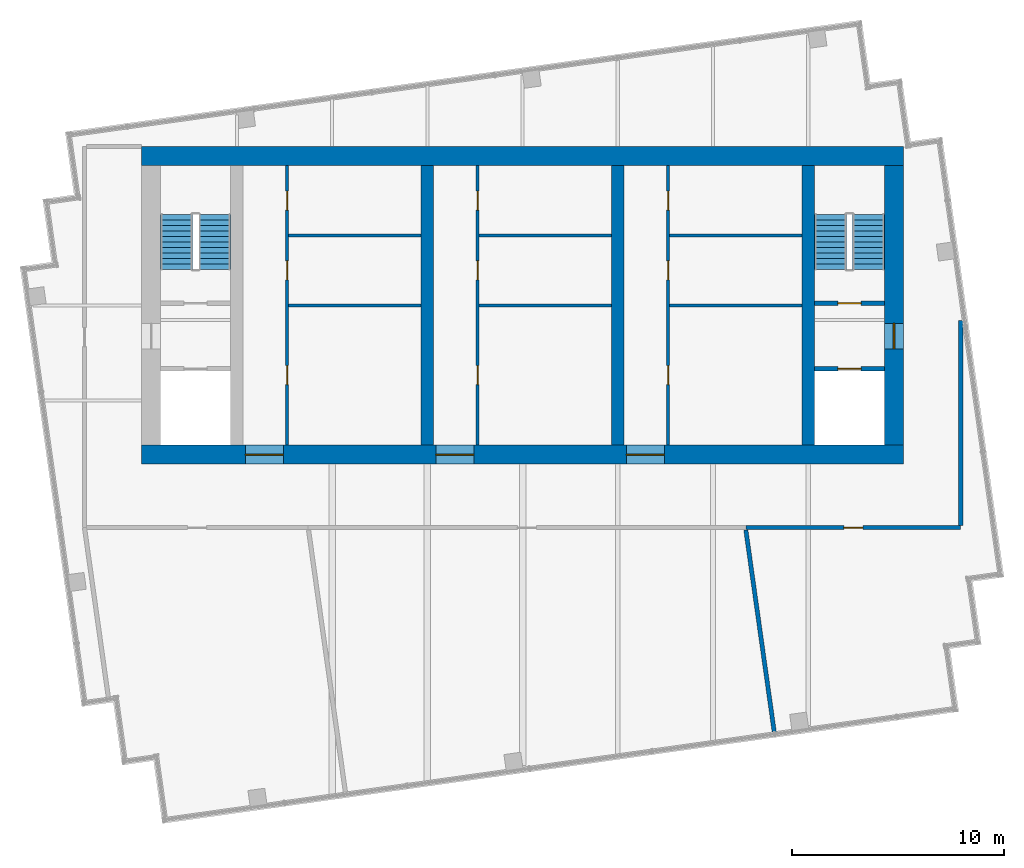
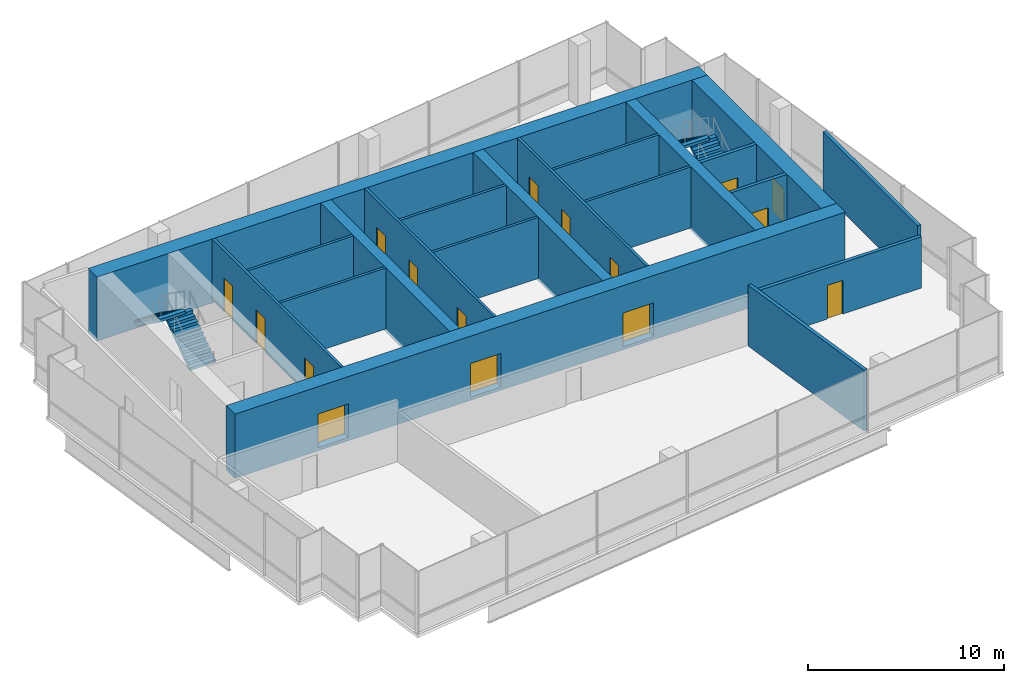
# One storey, part 8 of 9: 20 walls, 16 doors, 4 stair flights, 16 openings, 2 elements without a shape of their own.
"""IFC4 building model written with IfcOpenShell, lengths in metres."""

from ifc_helpers import new_model, si_unit, direction, frame, frame_2d, origin, place, context, subcontext, project, spatial, polyline, rectangle, outline, extrude, material, layer, layer_set, type_object, element, fill, aggregate, save


model = new_model("IFC4")

# Units and contexts
model_context = context("Model", 3, precision=1e-05, world=origin(), true_north=direction((0.0, 1.0)))
body_context = subcontext(model_context, "Body", "Model", "MODEL_VIEW")
ifc_project = project(units=[si_unit("LENGTHUNIT", "METRE"), si_unit("AREAUNIT", "SQUARE_METRE"), si_unit("VOLUMEUNIT", "CUBIC_METRE"), si_unit("PLANEANGLEUNIT", "RADIAN"), si_unit("MASSUNIT", "GRAM", prefix="KILO")], contexts=[model_context])

# Site, building, storey
site_placement = place(None, origin())
site = spatial("IfcSite", under=ifc_project, at=site_placement, CompositionType="ELEMENT")
building_placement = place(site_placement, origin())
building = spatial("IfcBuilding", under=site, at=building_placement, Name="Rattan Terrace Tower", CompositionType="ELEMENT")
storey_placement = place(building_placement, frame((0.0, 0.0, 304.300048828125)))
storey = spatial("IfcBuildingStorey", under=building, at=storey_placement, Name="C04", CompositionType="ELEMENT", Elevation=304.300048828125)

# Wall, openings, doors
ifc_material_1 = material(Name="Gypsum board partition")
ifc_layer_1 = layer(ifc_material_1, 0.14990234375)
ifc_layer_set_1 = layer_set([ifc_layer_1], Name="Core partition 150")
wall_type_1 = type_object("IfcWallType", Name="Core partition 150", PredefinedType="PARTITIONING", material=ifc_layer_set_1)
wall_1_placement = place(storey_placement, frame((-11.125, -6.60009765625, 0.0), z_axis=(0.0, 0.0, 1.0), x_axis=(0.0, 1.0, 0.0)))
wall_1 = element("IfcWall", 1, at=wall_1_placement, inside=storey, type_object=wall_type_1, Name="Core room wall", PredefinedType="PARTITIONING", context=body_context, shape_type="SweptSolid", body=[
    extrude(rectangle(XDim=13.2001953125, YDim=0.14990234375, at=frame_2d((6.60009765625, 0.0))), origin(), (0.0, 0.0, 1.0), 3.800048828125),
])
opening_1_placement = place(wall_1_placement, frame((2.85009765625, 0.0, 0.0)))
opening_1 = element("IfcOpeningElement", 2, at=opening_1_placement, cuts=wall_1, Name="Opening C04-D005", PredefinedType="OPENING", context=body_context, shape_type="SweptSolid", body=[
    extrude(rectangle(XDim=0.89990234375, YDim=2.10009765625, at=frame_2d((0.449951171875, 1.050048828125))), frame((0.0, 0.08544921875, 0.0), z_axis=(0.0, -1.0, 0.0), x_axis=(1.0, 0.0, 0.0)), (0.0, 0.0, 1.0), 0.1708984375),
])
opening_2_placement = place(wall_1_placement, frame((7.800048828125, 0.0, 0.0)))
opening_2 = element("IfcOpeningElement", 3, at=opening_2_placement, cuts=wall_1, Name="Opening C04-D006", PredefinedType="OPENING", context=body_context, shape_type="SweptSolid", body=[
    extrude(rectangle(XDim=0.89990234375, YDim=2.10009765625, at=frame_2d((0.449951171875, 1.050048828125))), frame((0.0, 0.08544921875, 0.0), z_axis=(0.0, -1.0, 0.0), x_axis=(1.0, 0.0, 0.0)), (0.0, 0.0, 1.0), 0.1708984375),
])
opening_3_placement = place(wall_1_placement, frame((11.10009765625, 0.0, 0.0)))
opening_3 = element("IfcOpeningElement", 4, at=opening_3_placement, cuts=wall_1, Name="Opening C04-D007", PredefinedType="OPENING", context=body_context, shape_type="SweptSolid", body=[
    extrude(rectangle(XDim=0.89990234375, YDim=2.10009765625, at=frame_2d((0.449951171875, 1.050048828125))), frame((0.0, 0.08544921875, 0.0), z_axis=(0.0, -1.0, 0.0), x_axis=(1.0, 0.0, 0.0)), (0.0, 0.0, 1.0), 0.1708984375),
])
ifc_material_2 = material(Name="Hollow-metal fire door leaf")
door_type_1 = type_object("IfcDoorType", Name="Core service room door 900", OperationType="NOTDEFINED", PredefinedType="DOOR", material=ifc_material_2)
door_1_placement = place(opening_1_placement, origin())
door_1 = element("IfcDoor", 5, at=door_1_placement, inside=storey, type_object=door_type_1, Name="Door C04-D005", OperationType="SINGLE_SWING_RIGHT", OverallHeight=2.10009765625, OverallWidth=0.89990234375, PredefinedType="DOOR", context=body_context, shape_type="SweptSolid", body=[
    extrude(rectangle(XDim=0.89990234375, YDim=2.10009765625, at=frame_2d((0.449951171875, 1.050048828125))), frame((0.0, 0.02490234375, 0.0), z_axis=(0.0, -1.0, 0.0), x_axis=(1.0, 0.0, 0.0)), (0.0, 0.0, 1.0), 0.050048828125),
])
fill(opening_1, door_1)
door_2_placement = place(opening_2_placement, origin())
door_2 = element("IfcDoor", 6, at=door_2_placement, inside=storey, type_object=door_type_1, Name="Door C04-D006", OperationType="SINGLE_SWING_LEFT", OverallHeight=2.10009765625, OverallWidth=0.89990234375, PredefinedType="DOOR", context=body_context, shape_type="SweptSolid", body=[
    extrude(rectangle(XDim=0.89990234375, YDim=2.10009765625, at=frame_2d((0.449951171875, 1.050048828125))), frame((0.0, 0.02490234375, 0.0), z_axis=(0.0, -1.0, 0.0), x_axis=(1.0, 0.0, 0.0)), (0.0, 0.0, 1.0), 0.050048828125),
])
fill(opening_2, door_2)
door_3_placement = place(opening_3_placement, origin())
door_3 = element("IfcDoor", 7, at=door_3_placement, inside=storey, type_object=door_type_1, Name="Door C04-D007", OperationType="SINGLE_SWING_RIGHT", OverallHeight=2.10009765625, OverallWidth=0.89990234375, PredefinedType="DOOR", context=body_context, shape_type="SweptSolid", body=[
    extrude(rectangle(XDim=0.89990234375, YDim=2.10009765625, at=frame_2d((0.449951171875, 1.050048828125))), frame((0.0, 0.02490234375, 0.0), z_axis=(0.0, -1.0, 0.0), x_axis=(1.0, 0.0, 0.0)), (0.0, 0.0, 1.0), 0.050048828125),
])
fill(opening_3, door_3)

# Walls
for number, where, z_axis, x_axis, name in (
    (8, (-11.050048828125, 0.0, 0.0), (0.0, 0.0, 1.0), (1.0, 0.0, 0.0), "Core room wall"),
    (9, (-11.050048828125, 3.300048828125, 0.0), (0.0, 0.0, 1.0), (1.0, 0.0, 0.0), "Core room wall"),
):
    element("IfcWall", number, at=place(storey_placement, frame(where, z_axis=z_axis, x_axis=x_axis)), inside=storey, type_object=wall_type_1, Name=name, PredefinedType="PARTITIONING", context=body_context, shape_type="SweptSolid", body=[
        extrude(rectangle(XDim=6.25, YDim=0.14990234375, at=frame_2d((3.125, 0.0))), origin(), (0.0, 0.0, 1.0), 3.800048828125),
    ])

# Wall, openings, doors
wall_2_placement = place(storey_placement, frame((-2.125, -6.60009765625, 0.0), z_axis=(0.0, 0.0, 1.0), x_axis=(0.0, 1.0, 0.0)))
wall_2 = element("IfcWall", 10, at=wall_2_placement, inside=storey, type_object=wall_type_1, Name="Core room wall", PredefinedType="PARTITIONING", context=body_context, shape_type="SweptSolid", body=[
    extrude(rectangle(XDim=13.2001953125, YDim=0.14990234375, at=frame_2d((6.60009765625, 0.0))), origin(), (0.0, 0.0, 1.0), 3.800048828125),
])
opening_4_placement = place(wall_2_placement, frame((2.85009765625, 0.0, 0.0)))
opening_4 = element("IfcOpeningElement", 11, at=opening_4_placement, cuts=wall_2, Name="Opening C04-D009", PredefinedType="OPENING", context=body_context, shape_type="SweptSolid", body=[
    extrude(rectangle(XDim=0.89990234375, YDim=2.10009765625, at=frame_2d((0.449951171875, 1.050048828125))), frame((0.0, 0.08544921875, 0.0), z_axis=(0.0, -1.0, 0.0), x_axis=(1.0, 0.0, 0.0)), (0.0, 0.0, 1.0), 0.1708984375),
])
opening_5_placement = place(wall_2_placement, frame((7.800048828125, 0.0, 0.0)))
opening_5 = element("IfcOpeningElement", 12, at=opening_5_placement, cuts=wall_2, Name="Opening C04-D010", PredefinedType="OPENING", context=body_context, shape_type="SweptSolid", body=[
    extrude(rectangle(XDim=0.89990234375, YDim=2.10009765625, at=frame_2d((0.449951171875, 1.050048828125))), frame((0.0, 0.08544921875, 0.0), z_axis=(0.0, -1.0, 0.0), x_axis=(1.0, 0.0, 0.0)), (0.0, 0.0, 1.0), 0.1708984375),
])
opening_6_placement = place(wall_2_placement, frame((11.10009765625, 0.0, 0.0)))
opening_6 = element("IfcOpeningElement", 13, at=opening_6_placement, cuts=wall_2, Name="Opening C04-D011", PredefinedType="OPENING", context=body_context, shape_type="SweptSolid", body=[
    extrude(rectangle(XDim=0.89990234375, YDim=2.10009765625, at=frame_2d((0.449951171875, 1.050048828125))), frame((0.0, 0.08544921875, 0.0), z_axis=(0.0, -1.0, 0.0), x_axis=(1.0, 0.0, 0.0)), (0.0, 0.0, 1.0), 0.1708984375),
])
door_4_placement = place(opening_4_placement, origin())
door_4 = element("IfcDoor", 14, at=door_4_placement, inside=storey, type_object=door_type_1, Name="Door C04-D009", OperationType="SINGLE_SWING_RIGHT", OverallHeight=2.10009765625, OverallWidth=0.89990234375, PredefinedType="DOOR", context=body_context, shape_type="SweptSolid", body=[
    extrude(rectangle(XDim=0.89990234375, YDim=2.10009765625, at=frame_2d((0.449951171875, 1.050048828125))), frame((0.0, 0.02490234375, 0.0), z_axis=(0.0, -1.0, 0.0), x_axis=(1.0, 0.0, 0.0)), (0.0, 0.0, 1.0), 0.050048828125),
])
fill(opening_4, door_4)
door_5_placement = place(opening_5_placement, origin())
door_5 = element("IfcDoor", 15, at=door_5_placement, inside=storey, type_object=door_type_1, Name="Door C04-D010", OperationType="SINGLE_SWING_LEFT", OverallHeight=2.10009765625, OverallWidth=0.89990234375, PredefinedType="DOOR", context=body_context, shape_type="SweptSolid", body=[
    extrude(rectangle(XDim=0.89990234375, YDim=2.10009765625, at=frame_2d((0.449951171875, 1.050048828125))), frame((0.0, 0.02490234375, 0.0), z_axis=(0.0, -1.0, 0.0), x_axis=(1.0, 0.0, 0.0)), (0.0, 0.0, 1.0), 0.050048828125),
])
fill(opening_5, door_5)
door_6_placement = place(opening_6_placement, origin())
door_6 = element("IfcDoor", 16, at=door_6_placement, inside=storey, type_object=door_type_1, Name="Door C04-D011", OperationType="SINGLE_SWING_RIGHT", OverallHeight=2.10009765625, OverallWidth=0.89990234375, PredefinedType="DOOR", context=body_context, shape_type="SweptSolid", body=[
    extrude(rectangle(XDim=0.89990234375, YDim=2.10009765625, at=frame_2d((0.449951171875, 1.050048828125))), frame((0.0, 0.02490234375, 0.0), z_axis=(0.0, -1.0, 0.0), x_axis=(1.0, 0.0, 0.0)), (0.0, 0.0, 1.0), 0.050048828125),
])
fill(opening_6, door_6)

# Walls
for number, where, z_axis, x_axis, name in (
    (17, (-2.050048828125, 0.0, 0.0), (0.0, 0.0, 1.0), (1.0, 0.0, 0.0), "Core room wall"),
    (18, (-2.050048828125, 3.300048828125, 0.0), (0.0, 0.0, 1.0), (1.0, 0.0, 0.0), "Core room wall"),
):
    element("IfcWall", number, at=place(storey_placement, frame(where, z_axis=z_axis, x_axis=x_axis)), inside=storey, type_object=wall_type_1, Name=name, PredefinedType="PARTITIONING", context=body_context, shape_type="SweptSolid", body=[
        extrude(rectangle(XDim=6.25, YDim=0.14990234375, at=frame_2d((3.125, 0.0))), origin(), (0.0, 0.0, 1.0), 3.800048828125),
    ])

# Wall, openings, doors
wall_3_placement = place(storey_placement, frame((6.875, -6.60009765625, 0.0), z_axis=(0.0, 0.0, 1.0), x_axis=(0.0, 1.0, 0.0)))
wall_3 = element("IfcWall", 19, at=wall_3_placement, inside=storey, type_object=wall_type_1, Name="Core room wall", PredefinedType="PARTITIONING", context=body_context, shape_type="SweptSolid", body=[
    extrude(rectangle(XDim=13.2001953125, YDim=0.14990234375, at=frame_2d((6.60009765625, 0.0))), origin(), (0.0, 0.0, 1.0), 3.800048828125),
])
opening_7_placement = place(wall_3_placement, frame((2.85009765625, 0.0, 0.0)))
opening_7 = element("IfcOpeningElement", 20, at=opening_7_placement, cuts=wall_3, Name="Opening C04-D013", PredefinedType="OPENING", context=body_context, shape_type="SweptSolid", body=[
    extrude(rectangle(XDim=0.89990234375, YDim=2.10009765625, at=frame_2d((0.449951171875, 1.050048828125))), frame((0.0, 0.08544921875, 0.0), z_axis=(0.0, -1.0, 0.0), x_axis=(1.0, 0.0, 0.0)), (0.0, 0.0, 1.0), 0.1708984375),
])
opening_8_placement = place(wall_3_placement, frame((7.800048828125, 0.0, 0.0)))
opening_8 = element("IfcOpeningElement", 21, at=opening_8_placement, cuts=wall_3, Name="Opening C04-D014", PredefinedType="OPENING", context=body_context, shape_type="SweptSolid", body=[
    extrude(rectangle(XDim=0.89990234375, YDim=2.10009765625, at=frame_2d((0.449951171875, 1.050048828125))), frame((0.0, 0.08544921875, 0.0), z_axis=(0.0, -1.0, 0.0), x_axis=(1.0, 0.0, 0.0)), (0.0, 0.0, 1.0), 0.1708984375),
])
opening_9_placement = place(wall_3_placement, frame((11.10009765625, 0.0, 0.0)))
opening_9 = element("IfcOpeningElement", 22, at=opening_9_placement, cuts=wall_3, Name="Opening C04-D015", PredefinedType="OPENING", context=body_context, shape_type="SweptSolid", body=[
    extrude(rectangle(XDim=0.89990234375, YDim=2.10009765625, at=frame_2d((0.449951171875, 1.050048828125))), frame((0.0, 0.08544921875, 0.0), z_axis=(0.0, -1.0, 0.0), x_axis=(1.0, 0.0, 0.0)), (0.0, 0.0, 1.0), 0.1708984375),
])
door_7_placement = place(opening_7_placement, origin())
door_7 = element("IfcDoor", 23, at=door_7_placement, inside=storey, type_object=door_type_1, Name="Door C04-D013", OperationType="SINGLE_SWING_RIGHT", OverallHeight=2.10009765625, OverallWidth=0.89990234375, PredefinedType="DOOR", context=body_context, shape_type="SweptSolid", body=[
    extrude(rectangle(XDim=0.89990234375, YDim=2.10009765625, at=frame_2d((0.449951171875, 1.050048828125))), frame((0.0, 0.02490234375, 0.0), z_axis=(0.0, -1.0, 0.0), x_axis=(1.0, 0.0, 0.0)), (0.0, 0.0, 1.0), 0.050048828125),
])
fill(opening_7, door_7)
door_8_placement = place(opening_8_placement, origin())
door_8 = element("IfcDoor", 24, at=door_8_placement, inside=storey, type_object=door_type_1, Name="Door C04-D014", OperationType="SINGLE_SWING_LEFT", OverallHeight=2.10009765625, OverallWidth=0.89990234375, PredefinedType="DOOR", context=body_context, shape_type="SweptSolid", body=[
    extrude(rectangle(XDim=0.89990234375, YDim=2.10009765625, at=frame_2d((0.449951171875, 1.050048828125))), frame((0.0, 0.02490234375, 0.0), z_axis=(0.0, -1.0, 0.0), x_axis=(1.0, 0.0, 0.0)), (0.0, 0.0, 1.0), 0.050048828125),
])
fill(opening_8, door_8)
door_9_placement = place(opening_9_placement, origin())
door_9 = element("IfcDoor", 25, at=door_9_placement, inside=storey, type_object=door_type_1, Name="Door C04-D015", OperationType="SINGLE_SWING_RIGHT", OverallHeight=2.10009765625, OverallWidth=0.89990234375, PredefinedType="DOOR", context=body_context, shape_type="SweptSolid", body=[
    extrude(rectangle(XDim=0.89990234375, YDim=2.10009765625, at=frame_2d((0.449951171875, 1.050048828125))), frame((0.0, 0.02490234375, 0.0), z_axis=(0.0, -1.0, 0.0), x_axis=(1.0, 0.0, 0.0)), (0.0, 0.0, 1.0), 0.050048828125),
])
fill(opening_9, door_9)

# Walls
for number, where, z_axis, x_axis, name in (
    (26, (6.949951171875, 0.0, 0.0), (0.0, 0.0, 1.0), (1.0, 0.0, 0.0), "Core room wall"),
    (27, (6.949951171875, 3.300048828125, 0.0), (0.0, 0.0, 1.0), (1.0, 0.0, 0.0), "Core room wall"),
):
    element("IfcWall", number, at=place(storey_placement, frame(where, z_axis=z_axis, x_axis=x_axis)), inside=storey, type_object=wall_type_1, Name=name, PredefinedType="PARTITIONING", context=body_context, shape_type="SweptSolid", body=[
        extrude(rectangle(XDim=6.25, YDim=0.14990234375, at=frame_2d((3.125, 0.0))), origin(), (0.0, 0.0, 1.0), 3.800048828125),
    ])

# Wall, opening, door
ifc_material_3 = material(Name="Gypsum board partition")
ifc_layer_2 = layer(ifc_material_3, 0.199951171875)
ifc_layer_set_2 = layer_set([ifc_layer_2], Name="Core partition 200")
wall_type_2 = type_object("IfcWallType", Name="Core partition 200", PredefinedType="PARTITIONING", material=ifc_layer_set_2)
wall_4_placement = place(storey_placement, frame((13.800048828125, -3.0, 0.0), z_axis=(0.0, 0.0, 1.0), x_axis=(1.0, 0.0, 0.0)))
wall_4 = element("IfcWall", 28, at=wall_4_placement, inside=storey, type_object=wall_type_2, Name="Fire-fighting lobby wall", PredefinedType="PARTITIONING", context=body_context, shape_type="SweptSolid", body=[
    extrude(rectangle(XDim=3.300048828125, YDim=0.199951171875, at=frame_2d((1.64990234375, 0.0))), origin(), (0.0, 0.0, 1.0), 3.800048828125),
])
opening_10_placement = place(wall_4_placement, frame((1.10009765625, 0.0, 0.0)))
opening_10 = element("IfcOpeningElement", 29, at=opening_10_placement, cuts=wall_4, Name="Opening C04-LD-FF2", PredefinedType="OPENING", context=body_context, shape_type="SweptSolid", body=[
    extrude(rectangle(XDim=1.10009765625, YDim=2.10009765625, at=frame_2d((0.550048828125, 1.050048828125))), frame((0.0, 0.110595703125, 0.0), z_axis=(0.0, -1.0, 0.0), x_axis=(1.0, 0.0, 0.0)), (0.0, 0.0, 1.0), 0.220947265625),
])
ifc_material_4 = material(Name="Brushed stainless landing door panel")
door_type_2 = type_object("IfcDoorType", Name="Core lift landing door 1100", OperationType="DOUBLE_DOOR_SLIDING", PredefinedType="DOOR", material=ifc_material_4)
door_10_placement = place(opening_10_placement, origin())
door_10 = element("IfcDoor", 30, at=door_10_placement, inside=storey, type_object=door_type_2, Name="Door C04-LD-FF2", OperationType="DOUBLE_DOOR_SLIDING", OverallHeight=2.10009765625, OverallWidth=1.10009765625, PredefinedType="DOOR", context=body_context, shape_type="SweptSolid", body=[
    extrude(rectangle(XDim=1.10009765625, YDim=2.10009765625, at=frame_2d((0.550048828125, 1.050048828125))), frame((0.0, 0.02490234375, 0.0), z_axis=(0.0, -1.0, 0.0), x_axis=(1.0, 0.0, 0.0)), (0.0, 0.0, 1.0), 0.050048828125),
])
fill(opening_10, door_10)

wall_5_placement = place(storey_placement, frame((13.800048828125, 0.10009765625, 0.0), z_axis=(0.0, 0.0, 1.0), x_axis=(1.0, 0.0, 0.0)))
wall_5 = element("IfcWall", 31, at=wall_5_placement, inside=storey, type_object=wall_type_2, Name="Stair enclosure wall", PredefinedType="PARTITIONING", context=body_context, shape_type="SweptSolid", body=[
    extrude(rectangle(XDim=3.300048828125, YDim=0.199951171875, at=frame_2d((1.64990234375, 0.0))), origin(), (0.0, 0.0, 1.0), 3.800048828125),
])
opening_11_placement = place(wall_5_placement, frame((1.10009765625, 0.0, 0.0)))
opening_11 = element("IfcOpeningElement", 32, at=opening_11_placement, cuts=wall_5, Name="Opening C04-D004", PredefinedType="OPENING", context=body_context, shape_type="SweptSolid", body=[
    extrude(rectangle(XDim=1.10009765625, YDim=2.10009765625, at=frame_2d((0.550048828125, 1.050048828125))), frame((0.0, 0.110595703125, 0.0), z_axis=(0.0, -1.0, 0.0), x_axis=(1.0, 0.0, 0.0)), (0.0, 0.0, 1.0), 0.220947265625),
])
ifc_material_5 = material(Name="Hollow-metal fire door leaf")
door_type_3 = type_object("IfcDoorType", Name="Core stair door 1100", OperationType="NOTDEFINED", PredefinedType="DOOR", material=ifc_material_5)
door_11_placement = place(opening_11_placement, origin())
door_11 = element("IfcDoor", 33, at=door_11_placement, inside=storey, type_object=door_type_3, Name="Door C04-D004", OperationType="SINGLE_SWING_LEFT", OverallHeight=2.10009765625, OverallWidth=1.10009765625, PredefinedType="DOOR", context=body_context, shape_type="SweptSolid", body=[
    extrude(rectangle(XDim=1.10009765625, YDim=2.10009765625, at=frame_2d((0.550048828125, 1.050048828125))), frame((0.0, 0.02490234375, 0.0), z_axis=(0.0, -1.0, 0.0), x_axis=(1.0, 0.0, 0.0)), (0.0, 0.0, 1.0), 0.050048828125),
])
fill(opening_11, door_11)

# Wall, openings, doors
ifc_material_6 = material(Name="Concrete C50/60", Category="concrete")
ifc_layer_3 = layer(ifc_material_6, 0.89990234375)
ifc_layer_set_3 = layer_set([ifc_layer_3], Name="Core ring wall 900 C50/60")
wall_type_3 = type_object("IfcWallType", Name="Core ring wall 900 C50/60", PredefinedType="SHEAR", material=ifc_layer_set_3)
wall_6_placement = place(storey_placement, frame((-18.0, -7.050048828125, -0.199951171875), z_axis=(0.0, 0.0, 1.0), x_axis=(1.0, 0.0, 0.0)))
wall_6 = element("IfcWall", 34, at=wall_6_placement, inside=storey, type_object=wall_type_3, Name="Rear core wall south", PredefinedType="SHEAR", context=body_context, shape_type="SweptSolid", body=[
    extrude(rectangle(XDim=36.0, YDim=0.89990234375, at=frame_2d((18.0, 0.0))), origin(), (0.0, 0.0, 1.0), 4.0),
])
opening_12_placement = place(wall_6_placement, frame((4.89990234375, 0.0, 0.199951171875)))
opening_12 = element("IfcOpeningElement", 35, at=opening_12_placement, cuts=wall_6, Name="Opening C04-D008", PredefinedType="OPENING", context=body_context, shape_type="SweptSolid", body=[
    extrude(rectangle(XDim=1.800048828125, YDim=2.10009765625, at=frame_2d((0.89990234375, 1.050048828125))), frame((0.0, 0.46044921875, 0.0), z_axis=(0.0, -1.0, 0.0), x_axis=(1.0, 0.0, 0.0)), (0.0, 0.0, 1.0), 0.9208984375),
])
opening_13_placement = place(wall_6_placement, frame((13.89990234375, 0.0, 0.199951171875)))
opening_13 = element("IfcOpeningElement", 36, at=opening_13_placement, cuts=wall_6, Name="Opening C04-D012", PredefinedType="OPENING", context=body_context, shape_type="SweptSolid", body=[
    extrude(rectangle(XDim=1.800048828125, YDim=2.10009765625, at=frame_2d((0.89990234375, 1.050048828125))), frame((0.0, 0.46044921875, 0.0), z_axis=(0.0, -1.0, 0.0), x_axis=(1.0, 0.0, 0.0)), (0.0, 0.0, 1.0), 0.9208984375),
])
opening_14_placement = place(wall_6_placement, frame((22.89990234375, 0.0, 0.199951171875)))
opening_14 = element("IfcOpeningElement", 37, at=opening_14_placement, cuts=wall_6, Name="Opening C04-D016", PredefinedType="OPENING", context=body_context, shape_type="SweptSolid", body=[
    extrude(rectangle(XDim=1.800048828125, YDim=2.10009765625, at=frame_2d((0.89990234375, 1.050048828125))), frame((0.0, 0.46044921875, 0.0), z_axis=(0.0, -1.0, 0.0), x_axis=(1.0, 0.0, 0.0)), (0.0, 0.0, 1.0), 0.9208984375),
])
ifc_material_7 = material(Name="Hollow-metal fire door leaf")
door_type_4 = type_object("IfcDoorType", Name="Core service room door 1800", OperationType="NOTDEFINED", PredefinedType="DOOR", material=ifc_material_7)
door_12_placement = place(opening_12_placement, origin())
door_12 = element("IfcDoor", 38, at=door_12_placement, inside=storey, type_object=door_type_4, Name="Door C04-D008", OperationType="SINGLE_SWING_LEFT", OverallHeight=2.10009765625, OverallWidth=1.800048828125, PredefinedType="DOOR", context=body_context, shape_type="SweptSolid", body=[
    extrude(rectangle(XDim=1.800048828125, YDim=2.10009765625, at=frame_2d((0.89990234375, 1.050048828125))), frame((0.0, 0.02490234375, 0.0), z_axis=(0.0, -1.0, 0.0), x_axis=(1.0, 0.0, 0.0)), (0.0, 0.0, 1.0), 0.050048828125),
])
fill(opening_12, door_12)
door_13_placement = place(opening_13_placement, origin())
door_13 = element("IfcDoor", 39, at=door_13_placement, inside=storey, type_object=door_type_4, Name="Door C04-D012", OperationType="SINGLE_SWING_LEFT", OverallHeight=2.10009765625, OverallWidth=1.800048828125, PredefinedType="DOOR", context=body_context, shape_type="SweptSolid", body=[
    extrude(rectangle(XDim=1.800048828125, YDim=2.10009765625, at=frame_2d((0.89990234375, 1.050048828125))), frame((0.0, 0.02490234375, 0.0), z_axis=(0.0, -1.0, 0.0), x_axis=(1.0, 0.0, 0.0)), (0.0, 0.0, 1.0), 0.050048828125),
])
fill(opening_13, door_13)
door_14_placement = place(opening_14_placement, origin())
door_14 = element("IfcDoor", 40, at=door_14_placement, inside=storey, type_object=door_type_4, Name="Door C04-D016", OperationType="SINGLE_SWING_LEFT", OverallHeight=2.10009765625, OverallWidth=1.800048828125, PredefinedType="DOOR", context=body_context, shape_type="SweptSolid", body=[
    extrude(rectangle(XDim=1.800048828125, YDim=2.10009765625, at=frame_2d((0.89990234375, 1.050048828125))), frame((0.0, 0.02490234375, 0.0), z_axis=(0.0, -1.0, 0.0), x_axis=(1.0, 0.0, 0.0)), (0.0, 0.0, 1.0), 0.050048828125),
])
fill(opening_14, door_14)

# Wall
wall_7_placement = place(storey_placement, frame((-18.0, 7.050048828125, -0.199951171875), z_axis=(0.0, 0.0, 1.0), x_axis=(1.0, 0.0, 0.0)))
element("IfcWall", 41, at=wall_7_placement, inside=storey, type_object=wall_type_3, Name="Rear core wall north", PredefinedType="SHEAR", context=body_context, shape_type="SweptSolid", body=[
    extrude(rectangle(XDim=36.0, YDim=0.89990234375, at=frame_2d((18.0, 0.0))), origin(), (0.0, 0.0, 1.0), 4.0),
])

# Wall, opening, door
wall_8_placement = place(storey_placement, frame((17.550048828125, -6.60009765625, -0.199951171875), z_axis=(0.0, 0.0, 1.0), x_axis=(0.0, 1.0, 0.0)))
wall_8 = element("IfcWall", 42, at=wall_8_placement, inside=storey, type_object=wall_type_3, Name="Rear core wall east", PredefinedType="SHEAR", context=body_context, shape_type="SweptSolid", body=[
    extrude(rectangle(XDim=13.2001953125, YDim=0.89990234375, at=frame_2d((6.60009765625, 0.0))), origin(), (0.0, 0.0, 1.0), 4.0),
])
opening_15_placement = place(wall_8_placement, frame((4.550048828125, 0.0, 0.199951171875)))
opening_15 = element("IfcOpeningElement", 43, at=opening_15_placement, cuts=wall_8, Name="Opening C04-D003", PredefinedType="OPENING", context=body_context, shape_type="SweptSolid", body=[
    extrude(rectangle(XDim=1.199951171875, YDim=2.10009765625, at=frame_2d((0.60009765625, 1.050048828125))), frame((0.0, 0.46044921875, 0.0), z_axis=(0.0, -1.0, 0.0), x_axis=(1.0, 0.0, 0.0)), (0.0, 0.0, 1.0), 0.9208984375),
])
ifc_material_8 = material(Name="Hollow-metal fire door leaf")
door_type_5 = type_object("IfcDoorType", Name="Core fire-fighting lobby door 1200", OperationType="NOTDEFINED", PredefinedType="DOOR", material=ifc_material_8)
door_15_placement = place(opening_15_placement, origin())
door_15 = element("IfcDoor", 44, at=door_15_placement, inside=storey, type_object=door_type_5, Name="Door C04-D003", OperationType="SINGLE_SWING_RIGHT", OverallHeight=2.10009765625, OverallWidth=1.199951171875, PredefinedType="DOOR", context=body_context, shape_type="SweptSolid", body=[
    extrude(rectangle(XDim=1.199951171875, YDim=2.10009765625, at=frame_2d((0.60009765625, 1.050048828125))), frame((0.0, 0.02490234375, 0.0), z_axis=(0.0, -1.0, 0.0), x_axis=(1.0, 0.0, 0.0)), (0.0, 0.0, 1.0), 0.050048828125),
])
fill(opening_15, door_15)

# Walls
ifc_material_9 = material(Name="Concrete C50/60", Category="concrete")
ifc_layer_4 = layer(ifc_material_9, 0.60009765625)
ifc_layer_set_4 = layer_set([ifc_layer_4], Name="Core spine wall 600 C50/60")
wall_type_4 = type_object("IfcWallType", Name="Core spine wall 600 C50/60", PredefinedType="SHEAR", material=ifc_layer_set_4)
for number, where, z_axis, x_axis, name in (
    (45, (-4.5, -6.60009765625, -0.199951171875), (0.0, 0.0, 1.0), (0.0, 1.0, 0.0), "Core spine wall 2"),
    (46, (4.5, -6.60009765625, -0.199951171875), (0.0, 0.0, 1.0), (0.0, 1.0, 0.0), "Core spine wall 3"),
    (47, (13.5, -6.60009765625, -0.199951171875), (0.0, 0.0, 1.0), (0.0, 1.0, 0.0), "Core spine wall 4"),
):
    element("IfcWall", number, at=place(storey_placement, frame(where, z_axis=z_axis, x_axis=x_axis)), inside=storey, type_object=wall_type_4, Name=name, PredefinedType="SHEAR", context=body_context, shape_type="SweptSolid", body=[
        extrude(rectangle(XDim=13.2001953125, YDim=0.60009765625, at=frame_2d((6.60009765625, 0.0))), origin(), (0.0, 0.0, 1.0), 4.0),
    ])
ifc_material_10 = material(Name="Concrete block wall, plastered", Category="concrete")
ifc_layer_5 = layer(ifc_material_10, 0.199951171875)
ifc_layer_set_5 = layer_set([ifc_layer_5], Name="Floors Plant Wall 200")
wall_type_5 = type_object("IfcWallType", Name="Floors Plant Wall 200", PredefinedType="PARTITIONING", material=ifc_layer_set_5)
wall_9_placement = place(storey_placement, frame((20.698974609375, -0.715087890625, 0.0), z_axis=(0.0, 0.0, 1.0), x_axis=(0.0, -1.0, 0.0)))
element("IfcWall", 48, at=wall_9_placement, inside=storey, type_object=wall_type_5, Name="pt-C04-003", PredefinedType="PARTITIONING", context=body_context, shape_type="SweptSolid", body=[
    extrude(rectangle(XDim=9.684814453125, YDim=0.199951171875, at=frame_2d((4.84228515625, 0.0))), origin(), (0.0, 0.0, 1.0), 3.800048828125),
])

# Wall, opening, door
wall_10_placement = place(storey_placement, frame((20.699951171875, -10.5, 0.0), z_axis=(0.0, 0.0, 1.0), x_axis=(-1.0, 0.0, 0.0)))
wall_10 = element("IfcWall", 49, at=wall_10_placement, inside=storey, type_object=wall_type_5, Name="pt-C04-004", PredefinedType="PARTITIONING", context=body_context, shape_type="SweptSolid", body=[
    extrude(rectangle(XDim=10.14599609375, YDim=0.199951171875, at=frame_2d((5.072998046875, 0.0))), origin(), (0.0, 0.0, 1.0), 3.199951171875),
])
opening_16_placement = place(wall_10_placement, frame((4.623046875, 0.0, 0.0)))
opening_16 = element("IfcOpeningElement", 50, at=opening_16_placement, cuts=wall_10, Name="Opening C04-D102", PredefinedType="OPENING", context=body_context, shape_type="SweptSolid", body=[
    extrude(rectangle(XDim=0.89990234375, YDim=2.10009765625, at=frame_2d((0.449951171875, 1.050048828125))), frame((0.0, 0.110595703125, 0.0), z_axis=(0.0, -1.0, 0.0), x_axis=(1.0, 0.0, 0.0)), (0.0, 0.0, 1.0), 0.220947265625),
])
ifc_material_11 = material(Name="Steel fire door set", Category="steel")
door_type_6 = type_object("IfcDoorType", Name="Floors Fire Door FD60 900x2100", OperationType="NOTDEFINED", PredefinedType="DOOR", material=ifc_material_11)
door_16_placement = place(opening_16_placement, origin())
door_16 = element("IfcDoor", 51, at=door_16_placement, inside=storey, type_object=door_type_6, Name="d-C04-102", OperationType="SINGLE_SWING_LEFT", OverallHeight=2.10009765625, OverallWidth=0.89990234375, PredefinedType="DOOR", context=body_context, shape_type="SweptSolid", body=[
    extrude(rectangle(XDim=0.89990234375, YDim=2.10009765625, at=frame_2d((0.449951171875, 1.050048828125))), frame((0.0, 0.02490234375, 0.0), z_axis=(0.0, -1.0, 0.0), x_axis=(1.0, 0.0, 0.0)), (0.0, 0.0, 1.0), 0.050048828125),
])
fill(opening_16, door_16)

# Wall
wall_11_placement = place(storey_placement, frame((10.550048828125, -10.614013671875, 0.0), z_axis=(0.0, 0.0, 1.0), x_axis=(0.139161669219, -0.990269675301, 0.0)))
element("IfcWall", 52, at=wall_11_placement, inside=storey, type_object=wall_type_5, Name="pt-C04-009", PredefinedType="PARTITIONING", context=body_context, shape_type="SweptSolid", body=[
    extrude(rectangle(XDim=9.63671875, YDim=0.199951171875, at=frame_2d((4.818359375, 0.0))), origin(), (0.0, 0.0, 1.0), 3.800048828125),
])

# Stair, stair flights
ifc_material_12 = material(Name="Concrete C40/50", Category="concrete")
stair_type = type_object("IfcStairType", Name="Core exit stair 1500", PredefinedType="HALF_TURN_STAIR", material=ifc_material_12)
stair_1_placement = place(storey_placement, origin())
stair_1 = element("IfcStair", 53, at=stair_1_placement, inside=storey, type_object=stair_type, Name="C04 exit stair 1", PredefinedType="HALF_TURN_STAIR")
ifc_material_13 = material(Name="Concrete C40/50", Category="concrete")
stair_flight_type = type_object("IfcStairFlightType", Name="Core exit stair flight 1500", PredefinedType="STRAIGHT", material=ifc_material_13)
stair_flight_1_placement = place(storey_placement, frame((-14.550048828125, 1.699951171875, 0.0), z_axis=(0.0, 0.0, 1.0), x_axis=(0.0, 1.0, 0.0)))
stair_flight_1 = element("IfcStairFlight", 54, at=stair_flight_1_placement, type_object=stair_flight_type, Name="S1 flight 1", NumberOfRisers=11, NumberOfTreads=10, PredefinedType="STRAIGHT", RiserHeight=0.181818182, TreadLength=0.26, context=body_context, shape_type="SweptSolid", body=[
    extrude(outline(polyline([(0.0, 0.0), (0.0, 0.181884765625), (0.260009765625, 0.181884765625), (0.260009765625, 0.363525390625), (0.52001953125, 0.363525390625), (0.52001953125, 0.54541015625), (0.780029296875, 0.54541015625), (0.780029296875, 0.727294921875), (1.0400390625, 0.727294921875), (1.0400390625, 0.9091796875), (1.300048828125, 0.9091796875), (1.300048828125, 1.0908203125), (1.56005859375, 1.0908203125), (1.56005859375, 1.272705078125), (1.820068359375, 1.272705078125), (1.820068359375, 1.45458984375), (2.080078125, 1.45458984375), (2.080078125, 1.636474609375), (2.340087890625, 1.636474609375), (2.340087890625, 1.818115234375), (2.60009765625, 1.818115234375), (2.60009765625, 2.0), (2.60009765625, 1.63525390625), (0.261474609375, 0.0), (0.0, 0.0)])), frame((0.0, 0.75, 0.0), z_axis=(0.0, -1.0, 0.0), x_axis=(1.0, 0.0, 0.0)), (0.0, 0.0, 1.0), 1.5),
])
stair_flight_2_placement = place(storey_placement, frame((-16.35009765625, 4.300048828125, 2.0), z_axis=(0.0, 0.0, 1.0), x_axis=(0.0, -1.0, 0.0)))
stair_flight_2 = element("IfcStairFlight", 55, at=stair_flight_2_placement, type_object=stair_flight_type, Name="S1 flight 2", NumberOfRisers=11, NumberOfTreads=10, PredefinedType="STRAIGHT", RiserHeight=0.181818182, TreadLength=0.26, context=body_context, shape_type="SweptSolid", body=[
    extrude(outline(polyline([(0.0, 0.0), (0.0, 0.181884765625), (0.260009765625, 0.181884765625), (0.260009765625, 0.363525390625), (0.52001953125, 0.363525390625), (0.52001953125, 0.54541015625), (0.780029296875, 0.54541015625), (0.780029296875, 0.727294921875), (1.0400390625, 0.727294921875), (1.0400390625, 0.9091796875), (1.300048828125, 0.9091796875), (1.300048828125, 1.0908203125), (1.56005859375, 1.0908203125), (1.56005859375, 1.272705078125), (1.820068359375, 1.272705078125), (1.820068359375, 1.45458984375), (2.080078125, 1.45458984375), (2.080078125, 1.636474609375), (2.340087890625, 1.636474609375), (2.340087890625, 1.818115234375), (2.60009765625, 1.818115234375), (2.60009765625, 2.0), (2.60009765625, 1.63525390625), (0.261474609375, 0.0), (0.0, 0.0)])), frame((0.0, 0.75, 0.0), z_axis=(0.0, -1.0, 0.0), x_axis=(1.0, 0.0, 0.0)), (0.0, 0.0, 1.0), 1.5),
])
aggregate(stair_1, [stair_flight_1, stair_flight_2])

stair_2_placement = place(storey_placement, origin())
stair_2 = element("IfcStair", 56, at=stair_2_placement, inside=storey, type_object=stair_type, Name="C04 exit stair 2", PredefinedType="HALF_TURN_STAIR")
stair_flight_3_placement = place(storey_placement, frame((16.35009765625, 1.699951171875, 0.0), z_axis=(0.0, 0.0, 1.0), x_axis=(0.0, 1.0, 0.0)))
stair_flight_3 = element("IfcStairFlight", 57, at=stair_flight_3_placement, type_object=stair_flight_type, Name="S2 flight 1", NumberOfRisers=11, NumberOfTreads=10, PredefinedType="STRAIGHT", RiserHeight=0.181818182, TreadLength=0.26, context=body_context, shape_type="SweptSolid", body=[
    extrude(outline(polyline([(0.0, 0.0), (0.0, 0.181884765625), (0.260009765625, 0.181884765625), (0.260009765625, 0.363525390625), (0.52001953125, 0.363525390625), (0.52001953125, 0.54541015625), (0.780029296875, 0.54541015625), (0.780029296875, 0.727294921875), (1.0400390625, 0.727294921875), (1.0400390625, 0.9091796875), (1.300048828125, 0.9091796875), (1.300048828125, 1.0908203125), (1.56005859375, 1.0908203125), (1.56005859375, 1.272705078125), (1.820068359375, 1.272705078125), (1.820068359375, 1.45458984375), (2.080078125, 1.45458984375), (2.080078125, 1.636474609375), (2.340087890625, 1.636474609375), (2.340087890625, 1.818115234375), (2.60009765625, 1.818115234375), (2.60009765625, 2.0), (2.60009765625, 1.63525390625), (0.261474609375, 0.0), (0.0, 0.0)])), frame((0.0, 0.75, 0.0), z_axis=(0.0, -1.0, 0.0), x_axis=(1.0, 0.0, 0.0)), (0.0, 0.0, 1.0), 1.5),
])
stair_flight_4_placement = place(storey_placement, frame((14.550048828125, 4.300048828125, 2.0), z_axis=(0.0, 0.0, 1.0), x_axis=(0.0, -1.0, 0.0)))
stair_flight_4 = element("IfcStairFlight", 58, at=stair_flight_4_placement, type_object=stair_flight_type, Name="S2 flight 2", NumberOfRisers=11, NumberOfTreads=10, PredefinedType="STRAIGHT", RiserHeight=0.181818182, TreadLength=0.26, context=body_context, shape_type="SweptSolid", body=[
    extrude(outline(polyline([(0.0, 0.0), (0.0, 0.181884765625), (0.260009765625, 0.181884765625), (0.260009765625, 0.363525390625), (0.52001953125, 0.363525390625), (0.52001953125, 0.54541015625), (0.780029296875, 0.54541015625), (0.780029296875, 0.727294921875), (1.0400390625, 0.727294921875), (1.0400390625, 0.9091796875), (1.300048828125, 0.9091796875), (1.300048828125, 1.0908203125), (1.56005859375, 1.0908203125), (1.56005859375, 1.272705078125), (1.820068359375, 1.272705078125), (1.820068359375, 1.45458984375), (2.080078125, 1.45458984375), (2.080078125, 1.636474609375), (2.340087890625, 1.636474609375), (2.340087890625, 1.818115234375), (2.60009765625, 1.818115234375), (2.60009765625, 2.0), (2.60009765625, 1.63525390625), (0.261474609375, 0.0), (0.0, 0.0)])), frame((0.0, 0.75, 0.0), z_axis=(0.0, -1.0, 0.0), x_axis=(1.0, 0.0, 0.0)), (0.0, 0.0, 1.0), 1.5),
])
aggregate(stair_2, [stair_flight_3, stair_flight_4])

save(model, "model.ifc")
